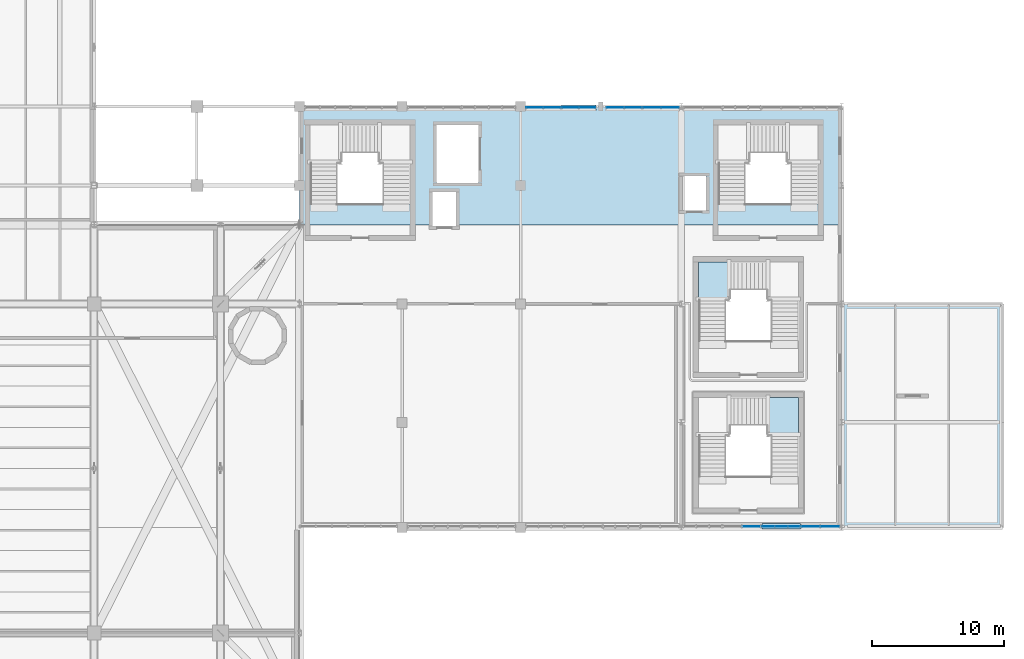
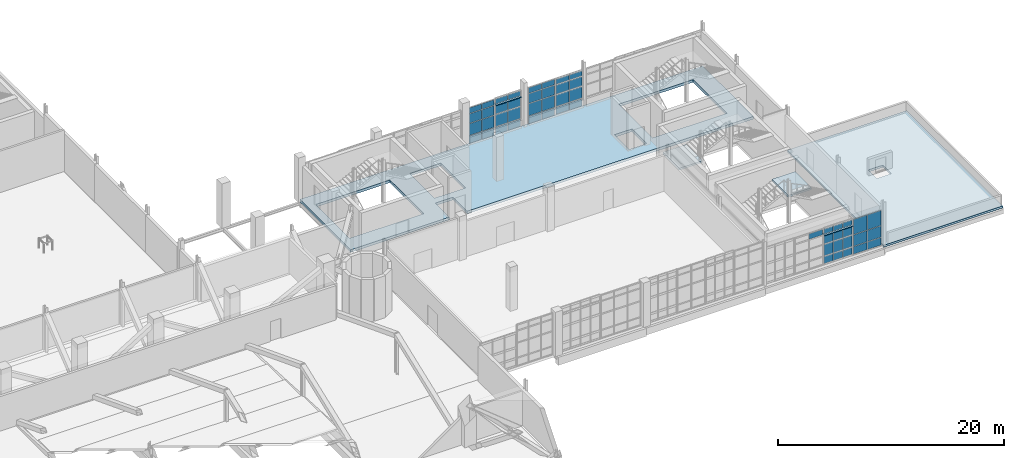
# One storey, part 100 of 127: 53 plates, 4 slabs, 9 elements without a shape of their own.
"""IFC4 building model written with IfcOpenShell, lengths in metres."""

from ifc_helpers import new_model, si_unit, derived_unit, direction, frame, origin, origin_2d, place, context, subcontext, project, spatial, polyline, rectangle, outline, extrude, material, layer, layer_set, type_object, element, aggregate, save


model = new_model("IFC4")

# Units and contexts
model_context = context("Model", 3, precision=1e-05, world=origin(), true_north=direction((0.0, 1.0)))
body_context = subcontext(model_context, "Body", "Model", "MODEL_VIEW")
ifc_project = project(units=[si_unit("LENGTHUNIT", "METRE"), si_unit("AREAUNIT", "SQUARE_METRE"), si_unit("VOLUMEUNIT", "CUBIC_METRE"), si_unit("PLANEANGLEUNIT", "RADIAN"), si_unit("MASSUNIT", "GRAM", prefix="KILO"), derived_unit("THERMALTRANSMITTANCEUNIT", [(si_unit("POWERUNIT", "WATT"), 1), (si_unit("LENGTHUNIT", "METRE"), -2), (si_unit("THERMODYNAMICTEMPERATUREUNIT", "KELVIN"), -1)])], contexts=[model_context])

# Site, building, storey
site_placement = place(None, origin())
site = spatial("IfcSite", under=ifc_project, at=site_placement, CompositionType="ELEMENT")
building_placement = place(site_placement, origin())
building = spatial("IfcBuilding", under=site, at=building_placement, Name="Nallur Shell Playhouse", CompositionType="ELEMENT")
storey_placement = place(building_placement, frame((0.0, 0.0, 5.39990234375)))
storey = spatial("IfcBuildingStorey", under=building, at=storey_placement, Name="L02", CompositionType="ELEMENT", Elevation=5.39990234375)

# Curtain wall, plates
ifc_material_1 = material(Name="Anodised Aluminium Double-Glazed Facade System", Category="aluminium")
ifc_layer_1 = layer(ifc_material_1, 0.1640625)
ifc_layer_set_1 = layer_set([ifc_layer_1], Name="Anodised Aluminium Double-Glazed Facade System")
curtain_wall_type_1 = type_object("IfcCurtainWallType", Name="CW-UNIT-01", PredefinedType="NOTDEFINED", material=ifc_layer_set_1)
curtain_wall_1_placement = place(storey_placement, origin())
curtain_wall_1 = element("IfcCurtainWall", 1, at=curtain_wall_1_placement, inside=storey, type_object=curtain_wall_type_1, Name="Unitised curtain wall CW-033 (L02)", PredefinedType="NOTDEFINED")
ifc_material_2 = material(Name="Solar-Control Low-E Laminated Insulating Glass", Category="glass")
ifc_layer_2 = layer(ifc_material_2, 0.02587890625)
ifc_layer_set_2 = layer_set([ifc_layer_2], Name="Solar-Control Low-E Laminated Insulating Glass")
plate_type_1 = type_object("IfcPlateType", Name="PT-GLZ-01", PredefinedType="CURTAIN_PANEL", material=ifc_layer_set_2)
plate_1_placement = place(storey_placement, frame((142.57666015625, 55.909912109375, 0.05712890625), z_axis=(0.0, 0.0, 1.0), x_axis=(1.0, 0.0, 0.0)))
plate_1 = element("IfcPlate", 2, at=plate_1_placement, type_object=plate_type_1, Name="CW-01 panel 1.1", PredefinedType="CURTAIN_PANEL", context=body_context, shape_type="SweptSolid", body=[
    extrude(rectangle(XDim=1.30322265625, YDim=0.02587890625, at=origin_2d()), origin(), (0.0, 0.0, 1.0), 0.818603515625),
])
plate_2_placement = place(storey_placement, frame((142.57666015625, 55.909912109375, 0.924560546875), z_axis=(0.0, 0.0, 1.0), x_axis=(1.0, 0.0, 0.0)))
plate_2 = element("IfcPlate", 3, at=plate_2_placement, type_object=plate_type_1, Name="CW-01 panel 1.2", PredefinedType="CURTAIN_PANEL", context=body_context, shape_type="SweptSolid", body=[
    extrude(rectangle(XDim=1.30322265625, YDim=0.02587890625, at=origin_2d()), origin(), (0.0, 0.0, 1.0), 1.2939453125),
])
plate_3_placement = place(storey_placement, frame((142.57666015625, 55.909912109375, 2.267578125), z_axis=(0.0, 0.0, 1.0), x_axis=(1.0, 0.0, 0.0)))
plate_3 = element("IfcPlate", 4, at=plate_3_placement, type_object=plate_type_1, Name="CW-01 panel 1.3", PredefinedType="CURTAIN_PANEL", context=body_context, shape_type="SweptSolid", body=[
    extrude(rectangle(XDim=1.30322265625, YDim=0.02587890625, at=origin_2d()), origin(), (0.0, 0.0, 1.0), 1.032958984375),
])
plate_4_placement = place(storey_placement, frame((142.57666015625, 55.909912109375, 3.349609375), z_axis=(0.0, 0.0, 1.0), x_axis=(1.0, 0.0, 0.0)))
plate_4 = element("IfcPlate", 5, at=plate_4_placement, type_object=plate_type_1, Name="CW-01 panel 1.4", PredefinedType="CURTAIN_PANEL", context=body_context, shape_type="SweptSolid", body=[
    extrude(rectangle(XDim=1.30322265625, YDim=0.02587890625, at=origin_2d()), origin(), (0.0, 0.0, 1.0), 0.598388671875),
])
plate_5_placement = place(storey_placement, frame((143.93896484375, 55.909912109375, 0.05712890625), z_axis=(0.0, 0.0, 1.0), x_axis=(1.0, 0.0, 0.0)))
plate_5 = element("IfcPlate", 6, at=plate_5_placement, type_object=plate_type_1, Name="CW-01 panel 2.1", PredefinedType="CURTAIN_PANEL", context=body_context, shape_type="SweptSolid", body=[
    extrude(rectangle(XDim=1.30322265625, YDim=0.02587890625, at=origin_2d()), origin(), (0.0, 0.0, 1.0), 0.818603515625),
])
plate_6_placement = place(storey_placement, frame((143.93896484375, 55.909912109375, 0.924560546875), z_axis=(0.0, 0.0, 1.0), x_axis=(1.0, 0.0, 0.0)))
plate_6 = element("IfcPlate", 7, at=plate_6_placement, type_object=plate_type_1, Name="CW-01 panel 2.2", PredefinedType="CURTAIN_PANEL", context=body_context, shape_type="SweptSolid", body=[
    extrude(rectangle(XDim=1.30322265625, YDim=0.02587890625, at=origin_2d()), origin(), (0.0, 0.0, 1.0), 1.2939453125),
])
plate_7_placement = place(storey_placement, frame((143.93896484375, 55.909912109375, 2.267578125), z_axis=(0.0, 0.0, 1.0), x_axis=(1.0, 0.0, 0.0)))
plate_7 = element("IfcPlate", 8, at=plate_7_placement, type_object=plate_type_1, Name="CW-01 panel 2.3", PredefinedType="CURTAIN_PANEL", context=body_context, shape_type="SweptSolid", body=[
    extrude(rectangle(XDim=1.30322265625, YDim=0.02587890625, at=origin_2d()), origin(), (0.0, 0.0, 1.0), 1.032958984375),
])
plate_8_placement = place(storey_placement, frame((143.93896484375, 55.909912109375, 3.349609375), z_axis=(0.0, 0.0, 1.0), x_axis=(1.0, 0.0, 0.0)))
plate_8 = element("IfcPlate", 9, at=plate_8_placement, type_object=plate_type_1, Name="CW-01 panel 2.4", PredefinedType="CURTAIN_PANEL", context=body_context, shape_type="SweptSolid", body=[
    extrude(rectangle(XDim=1.30322265625, YDim=0.02587890625, at=origin_2d()), origin(), (0.0, 0.0, 1.0), 0.598388671875),
])
aggregate(curtain_wall_1, [plate_1, plate_2, plate_3, plate_4, plate_5, plate_6, plate_7, plate_8])

# Curtain wall, plate
ifc_layer_3 = layer(ifc_material_1, 0.172119140625)
ifc_layer_set_3 = layer_set([ifc_layer_3], Name="Anodised Aluminium Double-Glazed Facade System")
curtain_wall_type_2 = type_object("IfcCurtainWallType", Name="CW-UNIT-09", PredefinedType="NOTDEFINED", material=ifc_layer_set_3)
curtain_wall_2_placement = place(storey_placement, origin())
curtain_wall_2 = element("IfcCurtainWall", 10, at=curtain_wall_2_placement, inside=storey, type_object=curtain_wall_type_2, Name="Unitised curtain wall CW-041 (L02)", PredefinedType="NOTDEFINED")
plate_9_placement = place(storey_placement, frame((152.931640625, 24.090087890625, 3.24951171875), z_axis=(0.0, 0.0, 1.0), x_axis=(-1.0, 0.0, 0.0)))
plate_9 = element("IfcPlate", 11, at=plate_9_placement, type_object=plate_type_1, Name="CW-09 panel 1.4", PredefinedType="CURTAIN_PANEL", context=body_context, shape_type="SweptSolid", body=[
    extrude(rectangle(XDim=1.3828125, YDim=0.02587890625, at=origin_2d()), origin(), (0.0, 0.0, 1.0), 0.598388671875),
])
aggregate(curtain_wall_2, [plate_9])

# Curtain wall, plates
ifc_layer_4 = layer(ifc_material_1, 0.16796875)
ifc_layer_set_4 = layer_set([ifc_layer_4], Name="Anodised Aluminium Double-Glazed Facade System")
curtain_wall_type_3 = type_object("IfcCurtainWallType", Name="CW-UNIT-02", PredefinedType="NOTDEFINED", material=ifc_layer_set_4)
curtain_wall_3_placement = place(storey_placement, origin())
curtain_wall_3 = element("IfcCurtainWall", 12, at=curtain_wall_3_placement, inside=storey, type_object=curtain_wall_type_3, Name="Unitised curtain wall CW-034 (L02)", PredefinedType="NOTDEFINED")
ifc_layer_5 = layer(ifc_material_2, 0.028076171875)
ifc_layer_set_5 = layer_set([ifc_layer_5], Name="Solar-Control Low-E Laminated Insulating Glass")
plate_type_2 = type_object("IfcPlateType", Name="PT-GLZ-02", PredefinedType="CURTAIN_PANEL", material=ifc_layer_set_5)
plate_10_placement = place(storey_placement, frame((145.383544921875, 55.909912109375, 0.092041015625), z_axis=(0.0, 0.0, 1.0), x_axis=(1.0, 0.0, 0.0)))
plate_10 = element("IfcPlate", 13, at=plate_10_placement, type_object=plate_type_2, Name="CW-02 panel 1.1", PredefinedType="CURTAIN_PANEL", context=body_context, shape_type="SweptSolid", body=[
    extrude(rectangle(XDim=1.318359375, YDim=0.028076171875, at=origin_2d()), origin(), (0.0, 0.0, 1.0), 0.76611328125),
])
plate_11_placement = place(storey_placement, frame((145.383544921875, 55.909912109375, 0.942138671875), z_axis=(0.0, 0.0, 1.0), x_axis=(1.0, 0.0, 0.0)))
plate_11 = element("IfcPlate", 14, at=plate_11_placement, type_object=plate_type_2, Name="CW-02 panel 1.2", PredefinedType="CURTAIN_PANEL", context=body_context, shape_type="SweptSolid", body=[
    extrude(rectangle(XDim=1.318359375, YDim=0.028076171875, at=origin_2d()), origin(), (0.0, 0.0, 1.0), 1.248046875),
])
plate_12_placement = place(storey_placement, frame((145.383544921875, 55.909912109375, 2.27392578125), z_axis=(0.0, 0.0, 1.0), x_axis=(1.0, 0.0, 0.0)))
plate_12 = element("IfcPlate", 15, at=plate_12_placement, type_object=plate_type_2, Name="CW-02 panel 1.3", PredefinedType="CURTAIN_PANEL", context=body_context, shape_type="SweptSolid", body=[
    extrude(rectangle(XDim=1.318359375, YDim=0.028076171875, at=origin_2d()), origin(), (0.0, 0.0, 1.0), 0.989013671875),
])
plate_13_placement = place(storey_placement, frame((145.383544921875, 55.909912109375, 3.34716796875), z_axis=(0.0, 0.0, 1.0), x_axis=(1.0, 0.0, 0.0)))
plate_13 = element("IfcPlate", 16, at=plate_13_placement, type_object=plate_type_2, Name="CW-02 panel 1.4", PredefinedType="CURTAIN_PANEL", context=body_context, shape_type="SweptSolid", body=[
    extrude(rectangle(XDim=1.318359375, YDim=0.028076171875, at=origin_2d()), origin(), (0.0, 0.0, 1.0), 0.5458984375),
])
plate_14_placement = place(storey_placement, frame((146.7509765625, 55.909912109375, 0.092041015625), z_axis=(0.0, 0.0, 1.0), x_axis=(1.0, 0.0, 0.0)))
plate_14 = element("IfcPlate", 17, at=plate_14_placement, type_object=plate_type_2, Name="CW-02 panel 2.1", PredefinedType="CURTAIN_PANEL", context=body_context, shape_type="SweptSolid", body=[
    extrude(rectangle(XDim=1.318359375, YDim=0.028076171875, at=origin_2d()), origin(), (0.0, 0.0, 1.0), 0.76611328125),
])
plate_15_placement = place(storey_placement, frame((146.7509765625, 55.909912109375, 0.942138671875), z_axis=(0.0, 0.0, 1.0), x_axis=(1.0, 0.0, 0.0)))
plate_15 = element("IfcPlate", 18, at=plate_15_placement, type_object=plate_type_2, Name="CW-02 panel 2.2", PredefinedType="CURTAIN_PANEL", context=body_context, shape_type="SweptSolid", body=[
    extrude(rectangle(XDim=1.318359375, YDim=0.028076171875, at=origin_2d()), origin(), (0.0, 0.0, 1.0), 1.248046875),
])
plate_16_placement = place(storey_placement, frame((146.7509765625, 55.909912109375, 2.27392578125), z_axis=(0.0, 0.0, 1.0), x_axis=(1.0, 0.0, 0.0)))
plate_16 = element("IfcPlate", 19, at=plate_16_placement, type_object=plate_type_2, Name="CW-02 panel 2.3", PredefinedType="CURTAIN_PANEL", context=body_context, shape_type="SweptSolid", body=[
    extrude(rectangle(XDim=1.318359375, YDim=0.028076171875, at=origin_2d()), origin(), (0.0, 0.0, 1.0), 0.989013671875),
])
plate_17_placement = place(storey_placement, frame((146.7509765625, 55.909912109375, 3.34716796875), z_axis=(0.0, 0.0, 1.0), x_axis=(1.0, 0.0, 0.0)))
plate_17 = element("IfcPlate", 20, at=plate_17_placement, type_object=plate_type_2, Name="CW-02 panel 2.4", PredefinedType="CURTAIN_PANEL", context=body_context, shape_type="SweptSolid", body=[
    extrude(rectangle(XDim=1.318359375, YDim=0.028076171875, at=origin_2d()), origin(), (0.0, 0.0, 1.0), 0.5458984375),
])
aggregate(curtain_wall_3, [plate_10, plate_11, plate_12, plate_13, plate_14, plate_15, plate_16, plate_17])

ifc_layer_6 = layer(ifc_material_1, 0.1640625)
ifc_layer_set_6 = layer_set([ifc_layer_6], Name="Anodised Aluminium Double-Glazed Facade System")
curtain_wall_type_4 = type_object("IfcCurtainWallType", Name="CW-UNIT-31", PredefinedType="NOTDEFINED", material=ifc_layer_set_6)
curtain_wall_4_placement = place(storey_placement, origin())
curtain_wall_4 = element("IfcCurtainWall", 21, at=curtain_wall_4_placement, inside=storey, type_object=curtain_wall_type_4, Name="Unitised curtain wall CW-031 (L02)", PredefinedType="NOTDEFINED")
ifc_layer_7 = layer(ifc_material_2, 0.0380859375)
ifc_layer_set_7 = layer_set([ifc_layer_7], Name="Solar-Control Low-E Laminated Insulating Glass")
plate_type_3 = type_object("IfcPlateType", Name="PT-GLZ-07", PredefinedType="CURTAIN_PANEL", material=ifc_layer_set_7)
plate_18_placement = place(storey_placement, frame((136.4677734375, 55.909912109375, 0.05712890625), z_axis=(0.0, 0.0, 1.0), x_axis=(1.0, 0.0, 0.0)))
plate_18 = element("IfcPlate", 22, at=plate_18_placement, type_object=plate_type_3, Name="CW-31 panel 1.1", PredefinedType="CURTAIN_PANEL", context=body_context, shape_type="SweptSolid", body=[
    extrude(rectangle(XDim=1.255859375, YDim=0.0380859375, at=origin_2d()), origin(), (0.0, 0.0, 1.0), 0.818603515625),
])
plate_19_placement = place(storey_placement, frame((136.4677734375, 55.909912109375, 0.924560546875), z_axis=(0.0, 0.0, 1.0), x_axis=(1.0, 0.0, 0.0)))
plate_19 = element("IfcPlate", 23, at=plate_19_placement, type_object=plate_type_3, Name="CW-31 panel 1.2", PredefinedType="CURTAIN_PANEL", context=body_context, shape_type="SweptSolid", body=[
    extrude(rectangle(XDim=1.255859375, YDim=0.0380859375, at=origin_2d()), origin(), (0.0, 0.0, 1.0), 1.27099609375),
])
plate_20_placement = place(storey_placement, frame((136.4677734375, 55.909912109375, 2.24462890625), z_axis=(0.0, 0.0, 1.0), x_axis=(1.0, 0.0, 0.0)))
plate_20 = element("IfcPlate", 24, at=plate_20_placement, type_object=plate_type_3, Name="CW-31 panel 1.3", PredefinedType="CURTAIN_PANEL", context=body_context, shape_type="SweptSolid", body=[
    extrude(rectangle(XDim=1.255859375, YDim=0.0380859375, at=origin_2d()), origin(), (0.0, 0.0, 1.0), 1.01611328125),
])
plate_21_placement = place(storey_placement, frame((136.4677734375, 55.909912109375, 3.3095703125), z_axis=(0.0, 0.0, 1.0), x_axis=(1.0, 0.0, 0.0)))
plate_21 = element("IfcPlate", 25, at=plate_21_placement, type_object=plate_type_3, Name="CW-31 panel 1.4", PredefinedType="CURTAIN_PANEL", context=body_context, shape_type="SweptSolid", body=[
    extrude(rectangle(XDim=1.255859375, YDim=0.0380859375, at=origin_2d()), origin(), (0.0, 0.0, 1.0), 0.598388671875),
])
plate_22_placement = place(storey_placement, frame((137.772705078125, 55.909912109375, 0.05712890625), z_axis=(0.0, 0.0, 1.0), x_axis=(1.0, 0.0, 0.0)))
plate_22 = element("IfcPlate", 26, at=plate_22_placement, type_object=plate_type_3, Name="CW-31 panel 2.1", PredefinedType="CURTAIN_PANEL", context=body_context, shape_type="SweptSolid", body=[
    extrude(rectangle(XDim=1.255859375, YDim=0.0380859375, at=origin_2d()), origin(), (0.0, 0.0, 1.0), 0.818603515625),
])
plate_23_placement = place(storey_placement, frame((137.772705078125, 55.909912109375, 0.924560546875), z_axis=(0.0, 0.0, 1.0), x_axis=(1.0, 0.0, 0.0)))
plate_23 = element("IfcPlate", 27, at=plate_23_placement, type_object=plate_type_3, Name="CW-31 panel 2.2", PredefinedType="CURTAIN_PANEL", context=body_context, shape_type="SweptSolid", body=[
    extrude(rectangle(XDim=1.255859375, YDim=0.0380859375, at=origin_2d()), origin(), (0.0, 0.0, 1.0), 1.27099609375),
])
plate_24_placement = place(storey_placement, frame((137.772705078125, 55.909912109375, 2.24462890625), z_axis=(0.0, 0.0, 1.0), x_axis=(1.0, 0.0, 0.0)))
plate_24 = element("IfcPlate", 28, at=plate_24_placement, type_object=plate_type_3, Name="CW-31 panel 2.3", PredefinedType="CURTAIN_PANEL", context=body_context, shape_type="SweptSolid", body=[
    extrude(rectangle(XDim=1.255859375, YDim=0.0380859375, at=origin_2d()), origin(), (0.0, 0.0, 1.0), 1.01611328125),
])
plate_25_placement = place(storey_placement, frame((137.772705078125, 55.909912109375, 3.3095703125), z_axis=(0.0, 0.0, 1.0), x_axis=(1.0, 0.0, 0.0)))
plate_25 = element("IfcPlate", 29, at=plate_25_placement, type_object=plate_type_3, Name="CW-31 panel 2.4", PredefinedType="CURTAIN_PANEL", context=body_context, shape_type="SweptSolid", body=[
    extrude(rectangle(XDim=1.255859375, YDim=0.0380859375, at=origin_2d()), origin(), (0.0, 0.0, 1.0), 0.598388671875),
])
aggregate(curtain_wall_4, [plate_18, plate_19, plate_20, plate_21, plate_22, plate_23, plate_24, plate_25])

ifc_layer_8 = layer(ifc_material_1, 0.1640625)
ifc_layer_set_8 = layer_set([ifc_layer_8], Name="Anodised Aluminium Double-Glazed Facade System")
curtain_wall_type_5 = type_object("IfcCurtainWallType", Name="CW-UNIT-07", PredefinedType="NOTDEFINED", material=ifc_layer_set_8)
curtain_wall_5_placement = place(storey_placement, origin())
curtain_wall_5 = element("IfcCurtainWall", 30, at=curtain_wall_5_placement, inside=storey, type_object=curtain_wall_type_5, Name="Unitised curtain wall CW-039 (L02)", PredefinedType="NOTDEFINED")
plate_26_placement = place(storey_placement, frame((158.903564453125, 24.090087890625, 0.05712890625), z_axis=(0.0, 0.0, 1.0), x_axis=(-1.0, 0.0, 0.0)))
plate_26 = element("IfcPlate", 31, at=plate_26_placement, type_object=plate_type_3, Name="CW-07 panel 1.1", PredefinedType="CURTAIN_PANEL", context=body_context, shape_type="SweptSolid", body=[
    extrude(rectangle(XDim=1.392822265625, YDim=0.0380859375, at=origin_2d()), origin(), (0.0, 0.0, 1.0), 0.818603515625),
])
plate_27_placement = place(storey_placement, frame((158.903564453125, 24.090087890625, 0.92431640625), z_axis=(0.0, 0.0, 1.0), x_axis=(-1.0, 0.0, 0.0)))
plate_27 = element("IfcPlate", 32, at=plate_27_placement, type_object=plate_type_3, Name="CW-07 panel 1.2", PredefinedType="CURTAIN_PANEL", context=body_context, shape_type="SweptSolid", body=[
    extrude(rectangle(XDim=1.392822265625, YDim=0.0380859375, at=origin_2d()), origin(), (0.0, 0.0, 1.0), 1.215087890625),
])
plate_28_placement = place(storey_placement, frame((158.903564453125, 24.090087890625, 2.1884765625), z_axis=(0.0, 0.0, 1.0), x_axis=(-1.0, 0.0, 0.0)))
plate_28 = element("IfcPlate", 33, at=plate_28_placement, type_object=plate_type_3, Name="CW-07 panel 1.3", PredefinedType="CURTAIN_PANEL", context=body_context, shape_type="SweptSolid", body=[
    extrude(rectangle(XDim=1.392822265625, YDim=0.0380859375, at=origin_2d()), origin(), (0.0, 0.0, 1.0), 1.619384765625),
])
plate_29_placement = place(storey_placement, frame((157.451904296875, 24.090087890625, 0.05712890625), z_axis=(0.0, 0.0, 1.0), x_axis=(-1.0, 0.0, 0.0)))
plate_29 = element("IfcPlate", 34, at=plate_29_placement, type_object=plate_type_3, Name="CW-07 panel 2.1", PredefinedType="CURTAIN_PANEL", context=body_context, shape_type="SweptSolid", body=[
    extrude(rectangle(XDim=1.392822265625, YDim=0.0380859375, at=origin_2d()), origin(), (0.0, 0.0, 1.0), 0.818603515625),
])
plate_30_placement = place(storey_placement, frame((157.451904296875, 24.090087890625, 0.92431640625), z_axis=(0.0, 0.0, 1.0), x_axis=(-1.0, 0.0, 0.0)))
plate_30 = element("IfcPlate", 35, at=plate_30_placement, type_object=plate_type_3, Name="CW-07 panel 2.2", PredefinedType="CURTAIN_PANEL", context=body_context, shape_type="SweptSolid", body=[
    extrude(rectangle(XDim=1.392822265625, YDim=0.0380859375, at=origin_2d()), origin(), (0.0, 0.0, 1.0), 1.215087890625),
])
plate_31_placement = place(storey_placement, frame((157.451904296875, 24.090087890625, 2.1884765625), z_axis=(0.0, 0.0, 1.0), x_axis=(-1.0, 0.0, 0.0)))
plate_31 = element("IfcPlate", 36, at=plate_31_placement, type_object=plate_type_3, Name="CW-07 panel 2.3", PredefinedType="CURTAIN_PANEL", context=body_context, shape_type="SweptSolid", body=[
    extrude(rectangle(XDim=1.392822265625, YDim=0.0380859375, at=origin_2d()), origin(), (0.0, 0.0, 1.0), 1.619384765625),
])
aggregate(curtain_wall_5, [plate_26, plate_27, plate_28, plate_29, plate_30, plate_31])

ifc_layer_9 = layer(ifc_material_1, 0.16796875)
ifc_layer_set_9 = layer_set([ifc_layer_9], Name="Anodised Aluminium Double-Glazed Facade System")
curtain_wall_type_6 = type_object("IfcCurtainWallType", Name="CW-UNIT-32", PredefinedType="NOTDEFINED", material=ifc_layer_set_9)
curtain_wall_6_placement = place(storey_placement, origin())
curtain_wall_6 = element("IfcCurtainWall", 37, at=curtain_wall_6_placement, inside=storey, type_object=curtain_wall_type_6, Name="Unitised curtain wall CW-032 (L02)", PredefinedType="NOTDEFINED")
ifc_layer_10 = layer(ifc_material_2, 0.0400390625)
ifc_layer_set_10 = layer_set([ifc_layer_10], Name="Solar-Control Low-E Laminated Insulating Glass")
plate_type_4 = type_object("IfcPlateType", Name="PT-GLZ-08", PredefinedType="CURTAIN_PANEL", material=ifc_layer_set_10)
plate_32_placement = place(storey_placement, frame((139.156005859375, 55.909912109375, 0.092041015625), z_axis=(0.0, 0.0, 1.0), x_axis=(1.0, 0.0, 0.0)))
plate_32 = element("IfcPlate", 38, at=plate_32_placement, type_object=plate_type_4, Name="CW-32 panel 1.1", PredefinedType="CURTAIN_PANEL", context=body_context, shape_type="SweptSolid", body=[
    extrude(rectangle(XDim=1.233154296875, YDim=0.0400390625, at=origin_2d()), origin(), (0.0, 0.0, 1.0), 0.76611328125),
])
plate_33_placement = place(storey_placement, frame((139.156005859375, 55.909912109375, 0.942138671875), z_axis=(0.0, 0.0, 1.0), x_axis=(1.0, 0.0, 0.0)))
plate_33 = element("IfcPlate", 39, at=plate_33_placement, type_object=plate_type_4, Name="CW-32 panel 1.2", PredefinedType="CURTAIN_PANEL", context=body_context, shape_type="SweptSolid", body=[
    extrude(rectangle(XDim=1.233154296875, YDim=0.0400390625, at=origin_2d()), origin(), (0.0, 0.0, 1.0), 1.27001953125),
])
plate_34_placement = place(storey_placement, frame((139.156005859375, 55.909912109375, 2.2958984375), z_axis=(0.0, 0.0, 1.0), x_axis=(1.0, 0.0, 0.0)))
plate_34 = element("IfcPlate", 40, at=plate_34_placement, type_object=plate_type_4, Name="CW-32 panel 1.3", PredefinedType="CURTAIN_PANEL", context=body_context, shape_type="SweptSolid", body=[
    extrude(rectangle(XDim=1.233154296875, YDim=0.0400390625, at=origin_2d()), origin(), (0.0, 0.0, 1.0), 1.007080078125),
])
plate_35_placement = place(storey_placement, frame((139.156005859375, 55.909912109375, 3.38720703125), z_axis=(0.0, 0.0, 1.0), x_axis=(1.0, 0.0, 0.0)))
plate_35 = element("IfcPlate", 41, at=plate_35_placement, type_object=plate_type_4, Name="CW-32 panel 1.4", PredefinedType="CURTAIN_PANEL", context=body_context, shape_type="SweptSolid", body=[
    extrude(rectangle(XDim=1.233154296875, YDim=0.0400390625, at=origin_2d()), origin(), (0.0, 0.0, 1.0), 0.5458984375),
])
plate_36_placement = place(storey_placement, frame((140.453369140625, 55.909912109375, 0.092041015625), z_axis=(0.0, 0.0, 1.0), x_axis=(1.0, 0.0, 0.0)))
plate_36 = element("IfcPlate", 42, at=plate_36_placement, type_object=plate_type_4, Name="CW-32 panel 2.1", PredefinedType="CURTAIN_PANEL", context=body_context, shape_type="SweptSolid", body=[
    extrude(rectangle(XDim=1.233154296875, YDim=0.0400390625, at=origin_2d()), origin(), (0.0, 0.0, 1.0), 0.76611328125),
])
plate_37_placement = place(storey_placement, frame((140.453369140625, 55.909912109375, 0.942138671875), z_axis=(0.0, 0.0, 1.0), x_axis=(1.0, 0.0, 0.0)))
plate_37 = element("IfcPlate", 43, at=plate_37_placement, type_object=plate_type_4, Name="CW-32 panel 2.2", PredefinedType="CURTAIN_PANEL", context=body_context, shape_type="SweptSolid", body=[
    extrude(rectangle(XDim=1.233154296875, YDim=0.0400390625, at=origin_2d()), origin(), (0.0, 0.0, 1.0), 1.27001953125),
])
plate_38_placement = place(storey_placement, frame((140.453369140625, 55.909912109375, 2.2958984375), z_axis=(0.0, 0.0, 1.0), x_axis=(1.0, 0.0, 0.0)))
plate_38 = element("IfcPlate", 44, at=plate_38_placement, type_object=plate_type_4, Name="CW-32 panel 2.3", PredefinedType="CURTAIN_PANEL", context=body_context, shape_type="SweptSolid", body=[
    extrude(rectangle(XDim=1.233154296875, YDim=0.0400390625, at=origin_2d()), origin(), (0.0, 0.0, 1.0), 1.007080078125),
])
plate_39_placement = place(storey_placement, frame((140.453369140625, 55.909912109375, 3.38720703125), z_axis=(0.0, 0.0, 1.0), x_axis=(1.0, 0.0, 0.0)))
plate_39 = element("IfcPlate", 45, at=plate_39_placement, type_object=plate_type_4, Name="CW-32 panel 2.4", PredefinedType="CURTAIN_PANEL", context=body_context, shape_type="SweptSolid", body=[
    extrude(rectangle(XDim=1.233154296875, YDim=0.0400390625, at=origin_2d()), origin(), (0.0, 0.0, 1.0), 0.5458984375),
])
aggregate(curtain_wall_6, [plate_32, plate_33, plate_34, plate_35, plate_36, plate_37, plate_38, plate_39])

ifc_layer_11 = layer(ifc_material_1, 0.16796875)
ifc_layer_set_11 = layer_set([ifc_layer_11], Name="Anodised Aluminium Double-Glazed Facade System")
curtain_wall_type_7 = type_object("IfcCurtainWallType", Name="CW-UNIT-08", PredefinedType="NOTDEFINED", material=ifc_layer_set_11)
curtain_wall_7_placement = place(storey_placement, origin())
curtain_wall_7 = element("IfcCurtainWall", 46, at=curtain_wall_7_placement, inside=storey, type_object=curtain_wall_type_7, Name="Unitised curtain wall CW-040 (L02)", PredefinedType="NOTDEFINED")
plate_40_placement = place(storey_placement, frame((156.166748046875, 24.090087890625, 0.092041015625), z_axis=(0.0, 0.0, 1.0), x_axis=(-1.0, 0.0, 0.0)))
plate_40 = element("IfcPlate", 47, at=plate_40_placement, type_object=plate_type_4, Name="CW-08 panel 1.1", PredefinedType="CURTAIN_PANEL", context=body_context, shape_type="SweptSolid", body=[
    extrude(rectangle(XDim=0.90966796875, YDim=0.0400390625, at=origin_2d()), origin(), (0.0, 0.0, 1.0), 0.76611328125),
])
plate_41_placement = place(storey_placement, frame((156.166748046875, 24.090087890625, 0.94189453125), z_axis=(0.0, 0.0, 1.0), x_axis=(-1.0, 0.0, 0.0)))
plate_41 = element("IfcPlate", 48, at=plate_41_placement, type_object=plate_type_4, Name="CW-08 panel 1.2", PredefinedType="CURTAIN_PANEL", context=body_context, shape_type="SweptSolid", body=[
    extrude(rectangle(XDim=0.90966796875, YDim=0.0400390625, at=origin_2d()), origin(), (0.0, 0.0, 1.0), 1.214111328125),
])
plate_42_placement = place(storey_placement, frame((156.166748046875, 24.090087890625, 2.240234375), z_axis=(0.0, 0.0, 1.0), x_axis=(-1.0, 0.0, 0.0)))
plate_42 = element("IfcPlate", 49, at=plate_42_placement, type_object=plate_type_4, Name="CW-08 panel 1.3", PredefinedType="CURTAIN_PANEL", context=body_context, shape_type="SweptSolid", body=[
    extrude(rectangle(XDim=0.90966796875, YDim=0.0400390625, at=origin_2d()), origin(), (0.0, 0.0, 1.0), 0.962890625),
])
plate_43_placement = place(storey_placement, frame((156.166748046875, 24.090087890625, 3.287109375), z_axis=(0.0, 0.0, 1.0), x_axis=(-1.0, 0.0, 0.0)))
plate_43 = element("IfcPlate", 50, at=plate_43_placement, type_object=plate_type_4, Name="CW-08 panel 1.4", PredefinedType="CURTAIN_PANEL", context=body_context, shape_type="SweptSolid", body=[
    extrude(rectangle(XDim=0.90966796875, YDim=0.0400390625, at=origin_2d()), origin(), (0.0, 0.0, 1.0), 0.5458984375),
])
plate_44_placement = place(storey_placement, frame((155.191650390625, 24.090087890625, 0.092041015625), z_axis=(0.0, 0.0, 1.0), x_axis=(-1.0, 0.0, 0.0)))
plate_44 = element("IfcPlate", 51, at=plate_44_placement, type_object=plate_type_4, Name="CW-08 panel 2.1", PredefinedType="CURTAIN_PANEL", context=body_context, shape_type="SweptSolid", body=[
    extrude(rectangle(XDim=0.942138671875, YDim=0.0400390625, at=origin_2d()), origin(), (0.0, 0.0, 1.0), 0.76611328125),
])
plate_45_placement = place(storey_placement, frame((155.191650390625, 24.090087890625, 0.94189453125), z_axis=(0.0, 0.0, 1.0), x_axis=(-1.0, 0.0, 0.0)))
plate_45 = element("IfcPlate", 52, at=plate_45_placement, type_object=plate_type_4, Name="CW-08 panel 2.2", PredefinedType="CURTAIN_PANEL", context=body_context, shape_type="SweptSolid", body=[
    extrude(rectangle(XDim=0.942138671875, YDim=0.0400390625, at=origin_2d()), origin(), (0.0, 0.0, 1.0), 1.214111328125),
])
plate_46_placement = place(storey_placement, frame((155.191650390625, 24.090087890625, 2.240234375), z_axis=(0.0, 0.0, 1.0), x_axis=(-1.0, 0.0, 0.0)))
plate_46 = element("IfcPlate", 53, at=plate_46_placement, type_object=plate_type_4, Name="CW-08 panel 2.3", PredefinedType="CURTAIN_PANEL", context=body_context, shape_type="SweptSolid", body=[
    extrude(rectangle(XDim=0.942138671875, YDim=0.0400390625, at=origin_2d()), origin(), (0.0, 0.0, 1.0), 0.962890625),
])
plate_47_placement = place(storey_placement, frame((155.191650390625, 24.090087890625, 3.287109375), z_axis=(0.0, 0.0, 1.0), x_axis=(-1.0, 0.0, 0.0)))
plate_47 = element("IfcPlate", 54, at=plate_47_placement, type_object=plate_type_4, Name="CW-08 panel 2.4", PredefinedType="CURTAIN_PANEL", context=body_context, shape_type="SweptSolid", body=[
    extrude(rectangle(XDim=0.942138671875, YDim=0.0400390625, at=origin_2d()), origin(), (0.0, 0.0, 1.0), 0.5458984375),
])
plate_48_placement = place(storey_placement, frame((154.216796875, 24.090087890625, 0.092041015625), z_axis=(0.0, 0.0, 1.0), x_axis=(-1.0, 0.0, 0.0)))
plate_48 = element("IfcPlate", 55, at=plate_48_placement, type_object=plate_type_4, Name="CW-08 panel 3.1", PredefinedType="CURTAIN_PANEL", context=body_context, shape_type="SweptSolid", body=[
    extrude(rectangle(XDim=0.90966796875, YDim=0.0400390625, at=origin_2d()), origin(), (0.0, 0.0, 1.0), 0.76611328125),
])
plate_49_placement = place(storey_placement, frame((154.216796875, 24.090087890625, 0.94189453125), z_axis=(0.0, 0.0, 1.0), x_axis=(-1.0, 0.0, 0.0)))
plate_49 = element("IfcPlate", 56, at=plate_49_placement, type_object=plate_type_4, Name="CW-08 panel 3.2", PredefinedType="CURTAIN_PANEL", context=body_context, shape_type="SweptSolid", body=[
    extrude(rectangle(XDim=0.90966796875, YDim=0.0400390625, at=origin_2d()), origin(), (0.0, 0.0, 1.0), 1.214111328125),
])
plate_50_placement = place(storey_placement, frame((154.216796875, 24.090087890625, 2.240234375), z_axis=(0.0, 0.0, 1.0), x_axis=(-1.0, 0.0, 0.0)))
plate_50 = element("IfcPlate", 57, at=plate_50_placement, type_object=plate_type_4, Name="CW-08 panel 3.3", PredefinedType="CURTAIN_PANEL", context=body_context, shape_type="SweptSolid", body=[
    extrude(rectangle(XDim=0.90966796875, YDim=0.0400390625, at=origin_2d()), origin(), (0.0, 0.0, 1.0), 0.962890625),
])
plate_51_placement = place(storey_placement, frame((154.216796875, 24.090087890625, 3.287109375), z_axis=(0.0, 0.0, 1.0), x_axis=(-1.0, 0.0, 0.0)))
plate_51 = element("IfcPlate", 58, at=plate_51_placement, type_object=plate_type_4, Name="CW-08 panel 3.4", PredefinedType="CURTAIN_PANEL", context=body_context, shape_type="SweptSolid", body=[
    extrude(rectangle(XDim=0.90966796875, YDim=0.0400390625, at=origin_2d()), origin(), (0.0, 0.0, 1.0), 0.5458984375),
])
aggregate(curtain_wall_7, [plate_40, plate_41, plate_42, plate_43, plate_44, plate_45, plate_46, plate_47, plate_48, plate_49, plate_50, plate_51])

# Plates
ifc_material_3 = material(Name="Terracotta & Gold-Anodised Monsoon Sunshade Blade", Category="masonry")
ifc_layer_12 = layer(ifc_material_3, 0.050048828125)
ifc_layer_set_12 = layer_set([ifc_layer_12], Name="Terracotta & Gold-Anodised Monsoon Sunshade Blade")
plate_type_5 = type_object("IfcPlateType", Name="PT-LOUVRE-02", PredefinedType="USERDEFINED", material=ifc_layer_set_12)
plate_52_placement = place(storey_placement, frame((155.19189453125, 24.090087890625, 3.22021484375), z_axis=(0.0, 0.0, 1.0), x_axis=(-1.0, 0.0, 0.0)))
element("IfcPlate", 59, at=plate_52_placement, inside=storey, type_object=plate_type_5, Name="Monsoon sunshade louvre blade LV-010", ObjectType="SUNSHADE LOUVRE", PredefinedType="USERDEFINED", context=body_context, shape_type="SweptSolid", body=[
    extrude(rectangle(XDim=2.93310546875, YDim=0.419921875, at=origin_2d()), origin(), (0.0, 0.0, 1.0), 0.050048828125),
])
ifc_layer_13 = layer(ifc_material_3, 0.06005859375)
ifc_layer_set_13 = layer_set([ifc_layer_13], Name="Terracotta & Gold-Anodised Monsoon Sunshade Blade")
plate_type_6 = type_object("IfcPlateType", Name="PT-LOUVRE-04", PredefinedType="USERDEFINED", material=ifc_layer_set_13)
plate_53_placement = place(storey_placement, frame((139.8046875, 55.909912109375, 3.315185546875), z_axis=(0.0, 0.0, 1.0), x_axis=(1.0, 0.0, 0.0)))
element("IfcPlate", 60, at=plate_53_placement, inside=storey, type_object=plate_type_6, Name="Monsoon sunshade louvre blade LV-008", ObjectType="SUNSHADE LOUVRE", PredefinedType="USERDEFINED", context=body_context, shape_type="SweptSolid", body=[
    extrude(rectangle(XDim=2.635009765625, YDim=0.419921875, at=origin_2d()), origin(), (0.0, 0.0, 1.0), 0.06005859375),
])

# Slab
ifc_material_4 = material(Name="Concrete M35", Category="concrete")
ifc_layer_14 = layer(ifc_material_4, 0.219970703125)
ifc_layer_set_14 = layer_set([ifc_layer_14], Name="Concrete M35")
slab_type_1 = type_object("IfcSlabType", Name="SL-FLATROOF-220", PredefinedType="ROOF", material=ifc_layer_set_14)
slab_1_placement = place(storey_placement, frame((0.0, 0.0, -0.219970703125)))
element("IfcSlab", 61, at=slab_1_placement, inside=storey, type_object=slab_type_1, Name="L02 East Bookshop Colonnade roof slab", PredefinedType="ROOF", context=body_context, shape_type="SweptSolid", body=[
    extrude(outline(polyline([(159.800048828125, 24.0), (159.800048828125, 41.0), (172.0, 41.0), (172.0, 24.0), (159.800048828125, 24.0)]), holes=[polyline([(165.949951171875, 34.75), (164.449951171875, 34.75), (164.449951171875, 33.25), (165.949951171875, 33.25), (165.949951171875, 34.75)])]), origin(), (0.0, 0.0, 1.0), 0.219970703125),
])

# Stair, slab
stair_type = type_object("IfcStairType", Name="ST-CORE-48", PredefinedType="QUARTER_TURN_STAIR", material=ifc_material_4)
stair_1_placement = place(storey_placement, origin())
stair_1 = element("IfcStair", 62, at=stair_1_placement, inside=storey, type_object=stair_type, Name="Core JC-8 exit stair ST-08-L02 (L02 to L03)", PredefinedType="QUARTER_TURN_STAIR")
ifc_layer_15 = layer(ifc_material_4, 0.199951171875)
ifc_layer_set_15 = layer_set([ifc_layer_15], Name="Concrete M35")
slab_type_2 = type_object("IfcSlabType", Name="SL-LANDING-200", PredefinedType="LANDING", material=ifc_layer_set_15)
slab_2_placement = place(storey_placement, frame((0.0, 0.0, 2.9501953125)))
slab_2 = element("IfcSlab", 63, at=slab_2_placement, type_object=slab_type_2, Name="ST-48 landing 2", PredefinedType="LANDING", context=body_context, shape_type="SweptSolid", body=[
    extrude(outline(polyline([(154.094970703125, 31.0), (156.5, 31.0), (156.5, 33.89990234375), (154.094970703125, 33.89990234375), (154.094970703125, 31.0)])), origin(), (0.0, 0.0, 1.0), 0.199951171875),
])
aggregate(stair_1, [slab_2])

stair_2_placement = place(storey_placement, origin())
stair_2 = element("IfcStair", 64, at=stair_2_placement, inside=storey, type_object=stair_type, Name="Core JC-9 exit stair ST-09-L02 (L02 to L03)", PredefinedType="QUARTER_TURN_STAIR")
slab_3_placement = place(storey_placement, frame((0.0, 0.0, 1.4501953125)))
slab_3 = element("IfcSlab", 65, at=slab_3_placement, type_object=slab_type_2, Name="ST-48 landing 1", PredefinedType="LANDING", context=body_context, shape_type="SweptSolid", body=[
    extrude(outline(polyline([(148.89990234375, 41.300048828125), (151.304931640625, 41.300048828125), (151.304931640625, 44.199951171875), (148.89990234375, 44.199951171875), (148.89990234375, 41.300048828125)])), origin(), (0.0, 0.0, 1.0), 0.199951171875),
])
aggregate(stair_2, [slab_3])

# Slab
ifc_material_5 = material(Name="Concrete M40", Category="concrete")
ifc_layer_16 = layer(ifc_material_5, 0.280029296875)
ifc_layer_set_16 = layer_set([ifc_layer_16], Name="Concrete M40")
slab_type_3 = type_object("IfcSlabType", Name="SL-TRANS-280", PredefinedType="FLOOR", material=ifc_layer_set_16)
slab_4_placement = place(storey_placement, frame((0.0, 0.0, -0.27978515625)))
element("IfcSlab", 66, at=slab_4_placement, inside=storey, type_object=slab_type_3, Name="L02 structural floor slab panel 20", PredefinedType="FLOOR", context=body_context, shape_type="SweptSolid", body=[
    extrude(outline(polyline([(118.60009765625, 56.0), (159.800048828125, 56.0), (159.800048828125, 47.0), (130.5, 47.0), (130.5, 49.5), (128.699951171875, 49.5), (128.699951171875, 47.0), (118.60009765625, 47.0), (118.60009765625, 56.0)]), holes=[polyline([(147.699951171875, 50.699951171875), (147.699951171875, 48.10009765625), (149.5, 48.10009765625), (149.5, 50.699951171875), (147.699951171875, 50.699951171875)]), polyline([(127.0, 48.60009765625), (127.0, 54.60009765625), (119.39990234375, 54.60009765625), (119.39990234375, 48.60009765625), (127.0, 48.60009765625)]), polyline([(158.0, 48.60009765625), (158.0, 54.60009765625), (150.39990234375, 54.60009765625), (150.39990234375, 48.60009765625), (158.0, 48.60009765625)]), polyline([(129.0, 54.60009765625), (129.0, 50.199951171875), (132.199951171875, 50.199951171875), (132.199951171875, 54.60009765625), (129.0, 54.60009765625)])]), origin(), (0.0, 0.0, 1.0), 0.27978515625),
])

save(model, "model.ifc")
